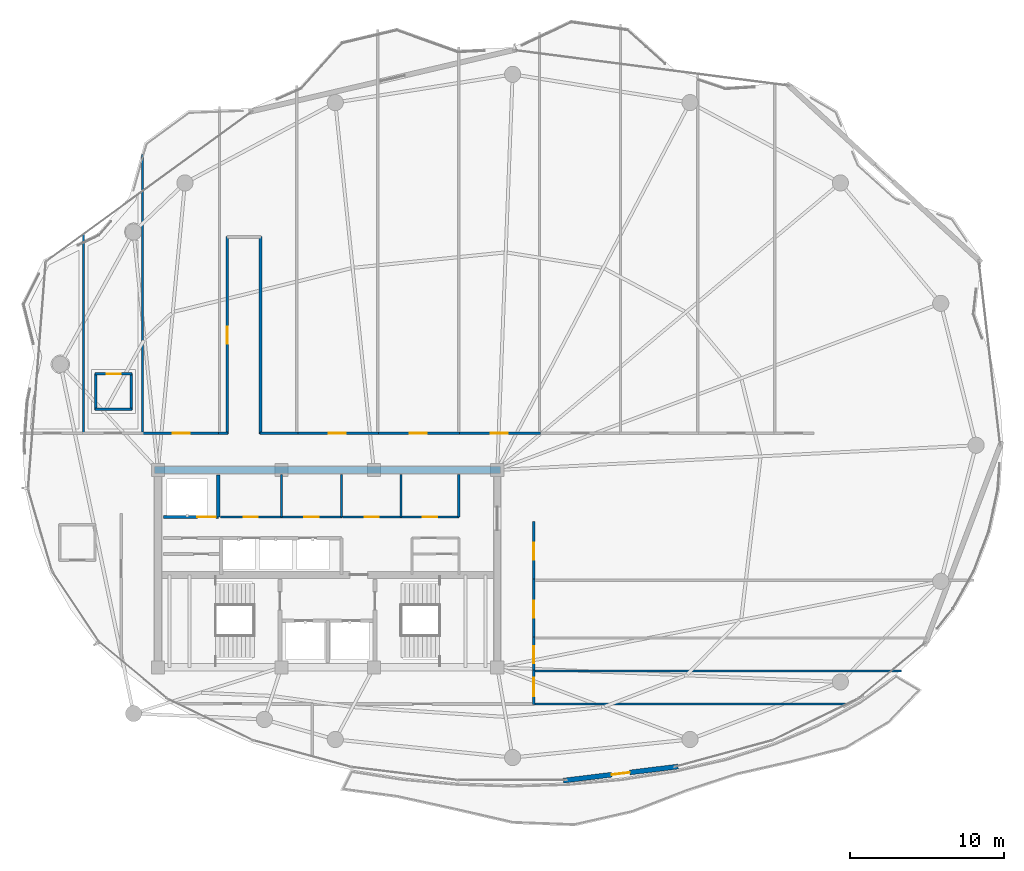
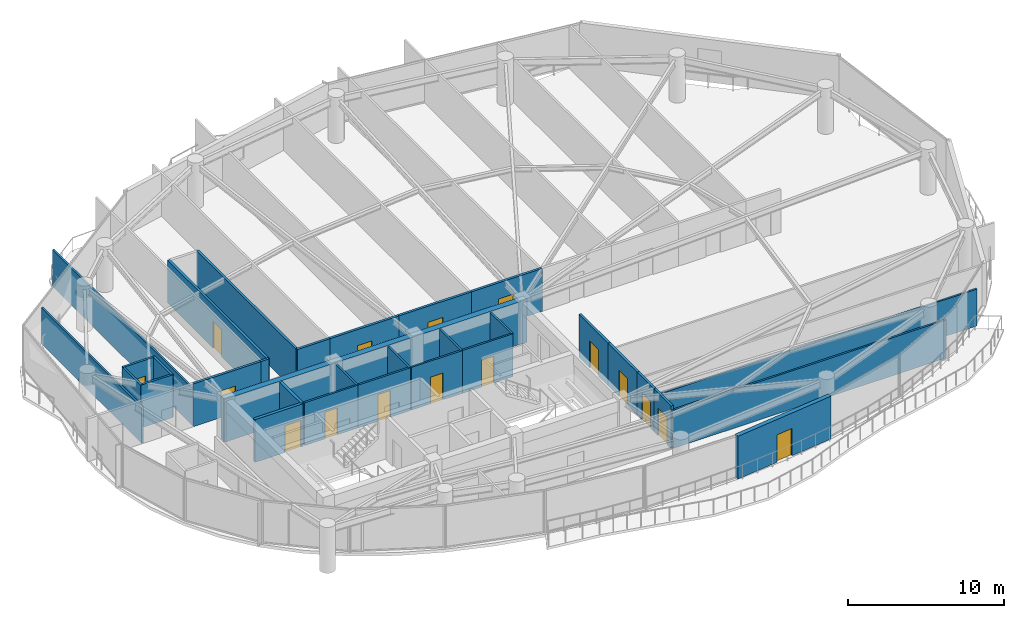
# One storey, part 26 of 31: 32 walls, 16 doors, 16 openings.
"""IFC4 building model written with IfcOpenShell, lengths in metres."""

from ifc_helpers import new_model, si_unit, direction, frame, frame_2d, origin, place, context, subcontext, project, spatial, rectangle, extrude, material, layer, layer_set, type_object, element, fill, save


model = new_model("IFC4")

# Units and contexts
model_context = context("Model", 3, precision=1e-05, world=origin(), true_north=direction((0.0, 1.0)))
body_context = subcontext(model_context, "Body", "Model", "MODEL_VIEW")
ifc_project = project(units=[si_unit("LENGTHUNIT", "METRE"), si_unit("AREAUNIT", "SQUARE_METRE"), si_unit("VOLUMEUNIT", "CUBIC_METRE"), si_unit("PLANEANGLEUNIT", "RADIAN"), si_unit("MASSUNIT", "GRAM", prefix="KILO")], contexts=[model_context])

# Site, building, storey
site_placement = place(None, origin())
site = spatial("IfcSite", under=ifc_project, at=site_placement, CompositionType="ELEMENT")
building_placement = place(site_placement, origin())
building = spatial("IfcBuilding", under=site, at=building_placement, Name="Kazevale Care Tower and Concert Hall", CompositionType="ELEMENT")
storey_placement = place(building_placement, frame((0.0, 0.0, 202.800048828125)))
storey = spatial("IfcBuildingStorey", under=building, at=storey_placement, Name="L53", CompositionType="ELEMENT", Elevation=202.800048828125)

# Wall, opening, door
ifc_material_1 = material(Name="Acoustic Gypsum on Steel Stud", Category="steel")
ifc_layer_1 = layer(ifc_material_1, 0.139892578125)
ifc_layer_set_1 = layer_set([ifc_layer_1], Name="Acoustic Gypsum on Steel Stud")
wall_type_1 = type_object("IfcWallType", Name="Acoustic Care & Suite Partition 140", PredefinedType="PARTITIONING", material=ifc_layer_set_1)
wall_1_placement = place(storey_placement, frame((26.050048828125, 33.35009765625, 0.0), z_axis=(0.0, 0.0, 1.0), x_axis=(1.0, 0.0, 0.0)))
wall_1 = element("IfcWall", 1, at=wall_1_placement, inside=storey, type_object=wall_type_1, Name="wall:L53:c_rpl1_s", PredefinedType="PARTITIONING", context=body_context, shape_type="SweptSolid", body=[
    extrude(rectangle(XDim=3.949951171875, YDim=0.139892578125, at=frame_2d((1.97509765625, 0.0))), origin(), (0.0, 0.0, 1.0), 3.35986328125),
])
opening_1_placement = place(wall_1_placement, frame((1.514892578125, 0.0, 0.0)))
opening_1 = element("IfcOpeningElement", 2, at=opening_1_placement, cuts=wall_1, Name="Opening ID-900", PredefinedType="OPENING", context=body_context, shape_type="SweptSolid", body=[
    extrude(rectangle(XDim=0.919921875, YDim=2.10009765625, at=frame_2d((0.4599609375, 1.050048828125))), frame((0.0, 0.079833984375, 0.0), z_axis=(0.0, -1.0, 0.0), x_axis=(1.0, 0.0, 0.0)), (0.0, 0.0, 1.0), 0.159912109375),
])
ifc_material_2 = material(Name="Oak Timber Fire Leaf", Category="wood")
door_type_1 = type_object("IfcDoorType", Name="Bathroom & Service Door 920x2100", OperationType="NOTDEFINED", PredefinedType="DOOR", material=ifc_material_2)
door_1_placement = place(opening_1_placement, origin())
door_1 = element("IfcDoor", 3, at=door_1_placement, inside=storey, type_object=door_type_1, Name="door:L53:d_rpl1", OperationType="SINGLE_SWING_LEFT", OverallHeight=2.10009765625, OverallWidth=0.919921875, PredefinedType="DOOR", context=body_context, shape_type="SweptSolid", body=[
    extrude(rectangle(XDim=0.919921875, YDim=2.10009765625, at=frame_2d((0.4599609375, 1.050048828125))), frame((0.0, 0.02490234375, 0.0), z_axis=(0.0, -1.0, 0.0), x_axis=(1.0, 0.0, 0.0)), (0.0, 0.0, 1.0), 0.050048828125),
])
fill(opening_1, door_1)

wall_2_placement = place(storey_placement, frame((30.0, 33.35009765625, 0.0), z_axis=(0.0, 0.0, 1.0), x_axis=(1.0, 0.0, 0.0)))
wall_2 = element("IfcWall", 4, at=wall_2_placement, inside=storey, type_object=wall_type_1, Name="wall:L53:c_rpl2_s", PredefinedType="PARTITIONING", context=body_context, shape_type="SweptSolid", body=[
    extrude(rectangle(XDim=3.919921875, YDim=0.139892578125, at=frame_2d((1.9599609375, 0.0))), origin(), (0.0, 0.0, 1.0), 3.35986328125),
])
opening_2_placement = place(wall_2_placement, frame((1.5, 0.0, 0.0)))
opening_2 = element("IfcOpeningElement", 5, at=opening_2_placement, cuts=wall_2, Name="Opening ID-900", PredefinedType="OPENING", context=body_context, shape_type="SweptSolid", body=[
    extrude(rectangle(XDim=0.919921875, YDim=2.10009765625, at=frame_2d((0.4599609375, 1.050048828125))), frame((0.0, 0.079833984375, 0.0), z_axis=(0.0, -1.0, 0.0), x_axis=(1.0, 0.0, 0.0)), (0.0, 0.0, 1.0), 0.159912109375),
])
door_2_placement = place(opening_2_placement, origin())
door_2 = element("IfcDoor", 6, at=door_2_placement, inside=storey, type_object=door_type_1, Name="door:L53:d_rpl2", OperationType="SINGLE_SWING_RIGHT", OverallHeight=2.10009765625, OverallWidth=0.919921875, PredefinedType="DOOR", context=body_context, shape_type="SweptSolid", body=[
    extrude(rectangle(XDim=0.919921875, YDim=2.10009765625, at=frame_2d((0.4599609375, 1.050048828125))), frame((0.0, 0.02490234375, 0.0), z_axis=(0.0, -1.0, 0.0), x_axis=(1.0, 0.0, 0.0)), (0.0, 0.0, 1.0), 0.050048828125),
])
fill(opening_2, door_2)

# Walls
for number, where, z_axis, x_axis, name in (
    (7, (30.0, 33.35009765625, 0.0), (0.0, 0.0, 1.0), (0.0, 1.0, 0.0), "wall:L53:c_rpl_m"),
    (8, (33.89990234375, 33.35009765625, 0.0), (0.0, 0.0, 1.0), (0.0, 1.0, 0.0), "wall:L53:c_rpl_e"),
):
    element("IfcWall", number, at=place(storey_placement, frame(where, z_axis=z_axis, x_axis=x_axis)), inside=storey, type_object=wall_type_1, Name=name, PredefinedType="PARTITIONING", context=body_context, shape_type="SweptSolid", body=[
        extrude(rectangle(XDim=2.75, YDim=0.139892578125, at=frame_2d((1.375, 0.0))), origin(), (0.0, 0.0, 1.0), 3.35986328125),
    ])

# Wall, opening, door
wall_3_placement = place(storey_placement, frame((33.97998046875, 33.35009765625, 0.0), z_axis=(0.0, 0.0, 1.0), x_axis=(1.0, 0.0, 0.0)))
wall_3 = element("IfcWall", 9, at=wall_3_placement, inside=storey, type_object=wall_type_1, Name="wall:L53:c_rpm1_s", PredefinedType="PARTITIONING", context=body_context, shape_type="SweptSolid", body=[
    extrude(rectangle(XDim=3.77001953125, YDim=0.139892578125, at=frame_2d((1.885009765625, 0.0))), origin(), (0.0, 0.0, 1.0), 3.35986328125),
])
opening_3_placement = place(wall_3_placement, frame((1.425048828125, 0.0, 0.0)))
opening_3 = element("IfcOpeningElement", 10, at=opening_3_placement, cuts=wall_3, Name="Opening ID-900", PredefinedType="OPENING", context=body_context, shape_type="SweptSolid", body=[
    extrude(rectangle(XDim=0.919921875, YDim=2.10009765625, at=frame_2d((0.4599609375, 1.050048828125))), frame((0.0, 0.079833984375, 0.0), z_axis=(0.0, -1.0, 0.0), x_axis=(1.0, 0.0, 0.0)), (0.0, 0.0, 1.0), 0.159912109375),
])
door_3_placement = place(opening_3_placement, origin())
door_3 = element("IfcDoor", 11, at=door_3_placement, inside=storey, type_object=door_type_1, Name="door:L53:d_rpm1", OperationType="SINGLE_SWING_LEFT", OverallHeight=2.10009765625, OverallWidth=0.919921875, PredefinedType="DOOR", context=body_context, shape_type="SweptSolid", body=[
    extrude(rectangle(XDim=0.919921875, YDim=2.10009765625, at=frame_2d((0.4599609375, 1.050048828125))), frame((0.0, 0.02490234375, 0.0), z_axis=(0.0, -1.0, 0.0), x_axis=(1.0, 0.0, 0.0)), (0.0, 0.0, 1.0), 0.050048828125),
])
fill(opening_3, door_3)

wall_4_placement = place(storey_placement, frame((37.75, 33.35009765625, 0.0), z_axis=(0.0, 0.0, 1.0), x_axis=(1.0, 0.0, 0.0)))
wall_4 = element("IfcWall", 12, at=wall_4_placement, inside=storey, type_object=wall_type_1, Name="wall:L53:c_rpm2_s", PredefinedType="PARTITIONING", context=body_context, shape_type="SweptSolid", body=[
    extrude(rectangle(XDim=3.77001953125, YDim=0.139892578125, at=frame_2d((1.885009765625, 0.0))), origin(), (0.0, 0.0, 1.0), 3.35986328125),
])
opening_4_placement = place(wall_4_placement, frame((1.425048828125, 0.0, 0.0)))
opening_4 = element("IfcOpeningElement", 13, at=opening_4_placement, cuts=wall_4, Name="Opening ID-900", PredefinedType="OPENING", context=body_context, shape_type="SweptSolid", body=[
    extrude(rectangle(XDim=0.919921875, YDim=2.10009765625, at=frame_2d((0.4599609375, 1.050048828125))), frame((0.0, 0.079833984375, 0.0), z_axis=(0.0, -1.0, 0.0), x_axis=(1.0, 0.0, 0.0)), (0.0, 0.0, 1.0), 0.159912109375),
])
door_4_placement = place(opening_4_placement, origin())
door_4 = element("IfcDoor", 14, at=door_4_placement, inside=storey, type_object=door_type_1, Name="door:L53:d_rpm2", OperationType="SINGLE_SWING_RIGHT", OverallHeight=2.10009765625, OverallWidth=0.919921875, PredefinedType="DOOR", context=body_context, shape_type="SweptSolid", body=[
    extrude(rectangle(XDim=0.919921875, YDim=2.10009765625, at=frame_2d((0.4599609375, 1.050048828125))), frame((0.0, 0.02490234375, 0.0), z_axis=(0.0, -1.0, 0.0), x_axis=(1.0, 0.0, 0.0)), (0.0, 0.0, 1.0), 0.050048828125),
])
fill(opening_4, door_4)

# Walls
for number, where, z_axis, x_axis, name in (
    (15, (37.75, 33.35009765625, 0.0), (0.0, 0.0, 1.0), (0.0, 1.0, 0.0), "wall:L53:c_rpm_m"),
    (16, (41.5, 33.35009765625, 0.0), (0.0, 0.0, 1.0), (0.0, 1.0, 0.0), "wall:L53:c_rpm_e"),
):
    element("IfcWall", number, at=place(storey_placement, frame(where, z_axis=z_axis, x_axis=x_axis)), inside=storey, type_object=wall_type_1, Name=name, PredefinedType="PARTITIONING", context=body_context, shape_type="SweptSolid", body=[
        extrude(rectangle(XDim=2.75, YDim=0.139892578125, at=frame_2d((1.375, 0.0))), origin(), (0.0, 0.0, 1.0), 3.35986328125),
    ])
wall_5_placement = place(storey_placement, frame((17.169921875, 51.67578125, 0.0), z_axis=(0.0, 0.0, 1.0), x_axis=(0.0, -1.0, 0.0)))
element("IfcWall", 17, at=wall_5_placement, inside=storey, type_object=wall_type_1, Name="wall:L53:auto_023", PredefinedType="PARTITIONING", context=body_context, shape_type="SweptSolid", body=[
    extrude(rectangle(XDim=12.9306640625, YDim=0.139892578125, at=frame_2d((6.46533203125, 0.0))), origin(), (0.0, 0.0, 1.0), 2.81689453125),
])
wall_6_placement = place(storey_placement, frame((21.0, 56.860107421875, 0.0), z_axis=(0.0, 0.0, 1.0), x_axis=(0.0, -1.0, 0.0)))
element("IfcWall", 18, at=wall_6_placement, inside=storey, type_object=wall_type_1, Name="wall:L53:auto_024", PredefinedType="PARTITIONING", context=body_context, shape_type="SweptSolid", body=[
    extrude(rectangle(XDim=18.114990234375, YDim=0.139892578125, at=frame_2d((9.0576171875, 0.0))), origin(), (0.0, 0.0, 1.0), 2.889892578125),
])
wall_7_placement = place(storey_placement, frame((46.344970703125, 23.360107421875, 0.0), z_axis=(0.0, 0.0, 1.0), x_axis=(1.0, 0.0, 0.0)))
element("IfcWall", 19, at=wall_7_placement, inside=storey, type_object=wall_type_1, Name="wall:L53:auto_033", PredefinedType="PARTITIONING", context=body_context, shape_type="SweptSolid", body=[
    extrude(rectangle(XDim=23.8701171875, YDim=0.139892578125, at=frame_2d((11.93505859375, 0.0))), origin(), (0.0, 0.0, 1.0), 2.889892578125),
])
wall_8_placement = place(storey_placement, frame((66.683837890625, 21.22509765625, 0.0), z_axis=(0.0, 0.0, 1.0), x_axis=(-1.0, 0.0, 0.0)))
element("IfcWall", 20, at=wall_8_placement, inside=storey, type_object=wall_type_1, Name="wall:L53:auto_034", PredefinedType="PARTITIONING", context=body_context, shape_type="SweptSolid", body=[
    extrude(rectangle(XDim=20.3388671875, YDim=0.139892578125, at=frame_2d((10.16943359375, 0.0))), origin(), (0.0, 0.0, 1.0), 2.995849609375),
])
ifc_material_3 = material(Name="Concrete C50", Category="concrete")
ifc_layer_2 = layer(ifc_material_3, 0.449951171875)
ifc_layer_set_2 = layer_set([ifc_layer_2], Name="Concrete C50")
wall_type_2 = type_object("IfcWallType", Name="Core Shear Wall 450 C50", PredefinedType="SHEAR", material=ifc_layer_set_2)
wall_9_placement = place(storey_placement, frame((21.77490234375, 36.39990234375, 0.0), z_axis=(0.0, 0.0, 1.0), x_axis=(1.0, 0.0, 0.0)))
element("IfcWall", 21, at=wall_9_placement, inside=storey, type_object=wall_type_2, Name="wall:L53:core:N", PredefinedType="SHEAR", context=body_context, shape_type="SweptSolid", body=[
    extrude(rectangle(XDim=22.4501953125, YDim=0.449951171875, at=frame_2d((11.22509765625, 0.0))), origin(), (0.0, 0.0, 1.0), 3.35986328125),
])
ifc_material_4 = material(Name="Concrete C40", Category="concrete")
ifc_layer_3 = layer(ifc_material_4, 0.219970703125)
ifc_layer_set_3 = layer_set([ifc_layer_3], Name="Concrete C40")
wall_type_3 = type_object("IfcWallType", Name="Elevator Hoistway Shaft Wall 220", PredefinedType="SOLIDWALL", material=ifc_layer_set_3)
wall_10_placement = place(storey_placement, frame((25.919921875, 33.35009765625, 0.0), z_axis=(0.0, 0.0, 1.0), x_axis=(0.0, 1.0, 0.0)))
element("IfcWall", 22, at=wall_10_placement, inside=storey, type_object=wall_type_3, Name="wall:L53:c_svl_e", PredefinedType="SOLIDWALL", context=body_context, shape_type="SweptSolid", body=[
    extrude(rectangle(XDim=2.72998046875, YDim=0.219970703125, at=frame_2d((1.364990234375, 0.0))), origin(), (0.0, 0.0, 1.0), 3.35986328125),
])

# Wall, opening, door
wall_11_placement = place(storey_placement, frame((22.35009765625, 33.35009765625, 0.0), z_axis=(0.0, 0.0, 1.0), x_axis=(1.0, 0.0, 0.0)))
wall_11 = element("IfcWall", 23, at=wall_11_placement, inside=storey, type_object=wall_type_3, Name="wall:L53:c_svl_s", PredefinedType="SOLIDWALL", context=body_context, shape_type="SweptSolid", body=[
    extrude(rectangle(XDim=3.56982421875, YDim=0.219970703125, at=frame_2d((1.784912109375, 0.0))), origin(), (0.0, 0.0, 1.0), 3.35986328125),
])
opening_5_placement = place(wall_11_placement, frame((2.212890625, 0.0, 0.0)))
opening_5 = element("IfcOpeningElement", 24, at=opening_5_placement, cuts=wall_11, Name="Opening LD-SV", PredefinedType="OPENING", context=body_context, shape_type="SweptSolid", body=[
    extrude(rectangle(XDim=1.199951171875, YDim=2.10009765625, at=frame_2d((0.60009765625, 1.050048828125))), frame((0.0, 0.119873046875, 0.0), z_axis=(0.0, -1.0, 0.0), x_axis=(1.0, 0.0, 0.0)), (0.0, 0.0, 1.0), 0.239990234375),
])
ifc_material_5 = material(Name="Stainless Steel 316", Category="steel")
door_type_2 = type_object("IfcDoorType", Name="Service Lift Sliding Landing Door 1200x2100", OperationType="NOTDEFINED", PredefinedType="DOOR", material=ifc_material_5)
door_5_placement = place(opening_5_placement, origin())
door_5 = element("IfcDoor", 25, at=door_5_placement, inside=storey, type_object=door_type_2, Name="door:L53:ld_svl1", OperationType="SLIDING_TO_LEFT", OverallHeight=2.10009765625, OverallWidth=1.199951171875, PredefinedType="DOOR", context=body_context, shape_type="SweptSolid", body=[
    extrude(rectangle(XDim=1.199951171875, YDim=2.10009765625, at=frame_2d((0.60009765625, 1.050048828125))), frame((0.0, 0.02490234375, 0.0), z_axis=(0.0, -1.0, 0.0), x_axis=(1.0, 0.0, 0.0)), (0.0, 0.0, 1.0), 0.050048828125),
])
fill(opening_5, door_5)

ifc_material_6 = material(Name="Concrete C40 and Acoustic Gypsum", Category="concrete")
ifc_layer_4 = layer(ifc_material_6, 0.179931640625)
ifc_layer_set_4 = layer_set([ifc_layer_4], Name="Concrete C40 and Acoustic Gypsum")
wall_type_4 = type_object("IfcWallType", Name="Fire-Rated Corridor & Party Wall 180", PredefinedType="PARTITIONING", material=ifc_layer_set_4)
wall_12_placement = place(storey_placement, frame((20.93505859375, 38.77490234375, 0.0), z_axis=(0.0, 0.0, 1.0), x_axis=(1.0, 0.0, 0.0)))
wall_12 = element("IfcWall", 26, at=wall_12_placement, inside=storey, type_object=wall_type_4, Name="wall:L53:auto_003", PredefinedType="PARTITIONING", context=body_context, shape_type="SweptSolid", body=[
    extrude(rectangle(XDim=5.1298828125, YDim=0.179931640625, at=frame_2d((2.56494140625, 0.0))), origin(), (0.0, 0.0, 1.0), 3.35986328125),
])
opening_6_placement = place(wall_12_placement, frame((2.014892578125, 0.0, 0.0)))
opening_6 = element("IfcOpeningElement", 27, at=opening_6_placement, cuts=wall_12, Name="Opening ID-1100", PredefinedType="OPENING", context=body_context, shape_type="SweptSolid", body=[
    extrude(rectangle(XDim=1.10009765625, YDim=2.10009765625, at=frame_2d((0.550048828125, 1.050048828125))), frame((0.0, 0.099853515625, 0.0), z_axis=(0.0, -1.0, 0.0), x_axis=(1.0, 0.0, 0.0)), (0.0, 0.0, 1.0), 0.199951171875),
])
door_type_3 = type_object("IfcDoorType", Name="Care Bedroom Accessible Door 1100x2100", OperationType="NOTDEFINED", PredefinedType="DOOR", material=ifc_material_2)
door_6_placement = place(opening_6_placement, origin())
door_6 = element("IfcDoor", 28, at=door_6_placement, inside=storey, type_object=door_type_3, Name="door:L53:ad_003", OperationType="SINGLE_SWING_LEFT", OverallHeight=2.10009765625, OverallWidth=1.10009765625, PredefinedType="DOOR", context=body_context, shape_type="SweptSolid", body=[
    extrude(rectangle(XDim=1.10009765625, YDim=2.10009765625, at=frame_2d((0.550048828125, 1.050048828125))), frame((0.0, 0.02490234375, 0.0), z_axis=(0.0, -1.0, 0.0), x_axis=(1.0, 0.0, 0.0)), (0.0, 0.0, 1.0), 0.050048828125),
])
fill(opening_6, door_6)

wall_13_placement = place(storey_placement, frame((26.5, 38.7451171875, 0.0), z_axis=(0.0, 0.0, 1.0), x_axis=(0.0, 1.0, 0.0)))
wall_13 = element("IfcWall", 29, at=wall_13_placement, inside=storey, type_object=wall_type_4, Name="wall:L53:auto_004", PredefinedType="PARTITIONING", context=body_context, shape_type="SweptSolid", body=[
    extrude(rectangle(XDim=12.784912109375, YDim=0.179931640625, at=frame_2d((6.392578125, 0.0))), origin(), (0.0, 0.0, 1.0), 3.35986328125),
])
opening_7_placement = place(wall_13_placement, frame((5.843017578125, 0.0, 0.0)))
opening_7 = element("IfcOpeningElement", 30, at=opening_7_placement, cuts=wall_13, Name="Opening ID-1100", PredefinedType="OPENING", context=body_context, shape_type="SweptSolid", body=[
    extrude(rectangle(XDim=1.10009765625, YDim=2.10009765625, at=frame_2d((0.550048828125, 1.050048828125))), frame((0.0, 0.099853515625, 0.0), z_axis=(0.0, -1.0, 0.0), x_axis=(1.0, 0.0, 0.0)), (0.0, 0.0, 1.0), 0.199951171875),
])
door_7_placement = place(opening_7_placement, origin())
door_7 = element("IfcDoor", 31, at=door_7_placement, inside=storey, type_object=door_type_3, Name="door:L53:ad_004", OperationType="SINGLE_SWING_LEFT", OverallHeight=2.10009765625, OverallWidth=1.10009765625, PredefinedType="DOOR", context=body_context, shape_type="SweptSolid", body=[
    extrude(rectangle(XDim=1.10009765625, YDim=2.10009765625, at=frame_2d((0.550048828125, 1.050048828125))), frame((0.0, 0.02490234375, 0.0), z_axis=(0.0, -1.0, 0.0), x_axis=(1.0, 0.0, 0.0)), (0.0, 0.0, 1.0), 0.050048828125),
])
fill(opening_7, door_7)

# Walls
wall_14_placement = place(storey_placement, frame((28.64990234375, 51.530029296875, 0.0), z_axis=(0.0, 0.0, 1.0), x_axis=(0.0, -1.0, 0.0)))
element("IfcWall", 32, at=wall_14_placement, inside=storey, type_object=wall_type_4, Name="wall:L53:auto_005", PredefinedType="PARTITIONING", context=body_context, shape_type="SweptSolid", body=[
    extrude(rectangle(XDim=12.784912109375, YDim=0.179931640625, at=frame_2d((6.392578125, 0.0))), origin(), (0.0, 0.0, 1.0), 3.35986328125),
])
wall_15_placement = place(storey_placement, frame((28.6201171875, 38.77490234375, 0.0), z_axis=(0.0, 0.0, 1.0), x_axis=(1.0, 0.0, 0.0)))
element("IfcWall", 33, at=wall_15_placement, inside=storey, type_object=wall_type_4, Name="wall:L53:auto_006", PredefinedType="PARTITIONING", context=body_context, shape_type="SweptSolid", body=[
    extrude(rectangle(XDim=2.44482421875, YDim=0.179931640625, at=frame_2d((1.222412109375, 0.0))), origin(), (0.0, 0.0, 1.0), 3.35986328125),
])
wall_16_placement = place(storey_placement, frame((25.93505859375, 38.77490234375, 0.0), z_axis=(0.0, 0.0, 1.0), x_axis=(1.0, 0.0, 0.0)))
element("IfcWall", 34, at=wall_16_placement, inside=storey, type_object=wall_type_4, Name="wall:L53:auto_008", PredefinedType="PARTITIONING", context=body_context, shape_type="SweptSolid", body=[
    extrude(rectangle(XDim=0.594970703125, YDim=0.179931640625, at=frame_2d((0.29736328125, 0.0))), origin(), (0.0, 0.0, 1.0), 3.35986328125),
])

# Wall, opening, door
wall_17_placement = place(storey_placement, frame((30.93505859375, 38.77490234375, 0.0), z_axis=(0.0, 0.0, 1.0), x_axis=(1.0, 0.0, 0.0)))
wall_17 = element("IfcWall", 35, at=wall_17_placement, inside=storey, type_object=wall_type_4, Name="wall:L53:auto_009", PredefinedType="PARTITIONING", context=body_context, shape_type="SweptSolid", body=[
    extrude(rectangle(XDim=5.3798828125, YDim=0.179931640625, at=frame_2d((2.68994140625, 0.0))), origin(), (0.0, 0.0, 1.0), 3.35986328125),
])
opening_8_placement = place(wall_17_placement, frame((2.139892578125, 0.0, 0.0)))
opening_8 = element("IfcOpeningElement", 36, at=opening_8_placement, cuts=wall_17, Name="Opening ID-1100", PredefinedType="OPENING", context=body_context, shape_type="SweptSolid", body=[
    extrude(rectangle(XDim=1.10009765625, YDim=2.10009765625, at=frame_2d((0.550048828125, 1.050048828125))), frame((0.0, 0.099853515625, 0.0), z_axis=(0.0, -1.0, 0.0), x_axis=(1.0, 0.0, 0.0)), (0.0, 0.0, 1.0), 0.199951171875),
])
door_8_placement = place(opening_8_placement, origin())
door_8 = element("IfcDoor", 37, at=door_8_placement, inside=storey, type_object=door_type_3, Name="door:L53:ad_009", OperationType="SINGLE_SWING_LEFT", OverallHeight=2.10009765625, OverallWidth=1.10009765625, PredefinedType="DOOR", context=body_context, shape_type="SweptSolid", body=[
    extrude(rectangle(XDim=1.10009765625, YDim=2.10009765625, at=frame_2d((0.550048828125, 1.050048828125))), frame((0.0, 0.02490234375, 0.0), z_axis=(0.0, -1.0, 0.0), x_axis=(1.0, 0.0, 0.0)), (0.0, 0.0, 1.0), 0.050048828125),
])
fill(opening_8, door_8)

wall_18_placement = place(storey_placement, frame((36.18505859375, 38.77490234375, 0.0), z_axis=(0.0, 0.0, 1.0), x_axis=(1.0, 0.0, 0.0)))
wall_18 = element("IfcWall", 38, at=wall_18_placement, inside=storey, type_object=wall_type_4, Name="wall:L53:auto_010", PredefinedType="PARTITIONING", context=body_context, shape_type="SweptSolid", body=[
    extrude(rectangle(XDim=5.3798828125, YDim=0.179931640625, at=frame_2d((2.68994140625, 0.0))), origin(), (0.0, 0.0, 1.0), 3.35986328125),
])
opening_9_placement = place(wall_18_placement, frame((2.139892578125, 0.0, 0.0)))
opening_9 = element("IfcOpeningElement", 39, at=opening_9_placement, cuts=wall_18, Name="Opening ID-1100", PredefinedType="OPENING", context=body_context, shape_type="SweptSolid", body=[
    extrude(rectangle(XDim=1.10009765625, YDim=2.10009765625, at=frame_2d((0.550048828125, 1.050048828125))), frame((0.0, 0.099853515625, 0.0), z_axis=(0.0, -1.0, 0.0), x_axis=(1.0, 0.0, 0.0)), (0.0, 0.0, 1.0), 0.199951171875),
])
door_9_placement = place(opening_9_placement, origin())
door_9 = element("IfcDoor", 40, at=door_9_placement, inside=storey, type_object=door_type_3, Name="door:L53:ad_010", OperationType="SINGLE_SWING_LEFT", OverallHeight=2.10009765625, OverallWidth=1.10009765625, PredefinedType="DOOR", context=body_context, shape_type="SweptSolid", body=[
    extrude(rectangle(XDim=1.10009765625, YDim=2.10009765625, at=frame_2d((0.550048828125, 1.050048828125))), frame((0.0, 0.02490234375, 0.0), z_axis=(0.0, -1.0, 0.0), x_axis=(1.0, 0.0, 0.0)), (0.0, 0.0, 1.0), 0.050048828125),
])
fill(opening_9, door_9)

wall_19_placement = place(storey_placement, frame((41.43505859375, 38.77490234375, 0.0), z_axis=(0.0, 0.0, 1.0), x_axis=(1.0, 0.0, 0.0)))
wall_19 = element("IfcWall", 41, at=wall_19_placement, inside=storey, type_object=wall_type_4, Name="wall:L53:auto_011", PredefinedType="PARTITIONING", context=body_context, shape_type="SweptSolid", body=[
    extrude(rectangle(XDim=5.3798828125, YDim=0.179931640625, at=frame_2d((2.68994140625, 0.0))), origin(), (0.0, 0.0, 1.0), 3.35986328125),
])
opening_10_placement = place(wall_19_placement, frame((2.139892578125, 0.0, 0.0)))
opening_10 = element("IfcOpeningElement", 42, at=opening_10_placement, cuts=wall_19, Name="Opening ID-1100", PredefinedType="OPENING", context=body_context, shape_type="SweptSolid", body=[
    extrude(rectangle(XDim=1.10009765625, YDim=2.10009765625, at=frame_2d((0.550048828125, 1.050048828125))), frame((0.0, 0.099853515625, 0.0), z_axis=(0.0, -1.0, 0.0), x_axis=(1.0, 0.0, 0.0)), (0.0, 0.0, 1.0), 0.199951171875),
])
door_10_placement = place(opening_10_placement, origin())
door_10 = element("IfcDoor", 43, at=door_10_placement, inside=storey, type_object=door_type_3, Name="door:L53:ad_011", OperationType="SINGLE_SWING_LEFT", OverallHeight=2.10009765625, OverallWidth=1.10009765625, PredefinedType="DOOR", context=body_context, shape_type="SweptSolid", body=[
    extrude(rectangle(XDim=1.10009765625, YDim=2.10009765625, at=frame_2d((0.550048828125, 1.050048828125))), frame((0.0, 0.02490234375, 0.0), z_axis=(0.0, -1.0, 0.0), x_axis=(1.0, 0.0, 0.0)), (0.0, 0.0, 1.0), 0.050048828125),
])
fill(opening_10, door_10)

wall_20_placement = place(storey_placement, frame((46.375, 23.425048828125, 0.0), z_axis=(0.0, 0.0, 1.0), x_axis=(0.0, -1.0, 0.0)))
wall_20 = element("IfcWall", 44, at=wall_20_placement, inside=storey, type_object=wall_type_4, Name="wall:L53:auto_016", PredefinedType="PARTITIONING", context=body_context, shape_type="SweptSolid", body=[
    extrude(rectangle(XDim=2.22998046875, YDim=0.179931640625, at=frame_2d((1.114990234375, 0.0))), origin(), (0.0, 0.0, 1.0), 3.35986328125),
])
opening_11_placement = place(wall_20_placement, frame((0.514892578125, 0.0, 0.0)))
opening_11 = element("IfcOpeningElement", 45, at=opening_11_placement, cuts=wall_20, Name="Opening ID-1200", PredefinedType="OPENING", context=body_context, shape_type="SweptSolid", body=[
    extrude(rectangle(XDim=1.199951171875, YDim=2.14990234375, at=frame_2d((0.60009765625, 1.074951171875))), frame((0.0, 0.099853515625, 0.0), z_axis=(0.0, -1.0, 0.0), x_axis=(1.0, 0.0, 0.0)), (0.0, 0.0, 1.0), 0.199951171875),
])
door_type_4 = type_object("IfcDoorType", Name="Clinical & Therapy Door 1200x2150", OperationType="NOTDEFINED", PredefinedType="DOOR", material=ifc_material_2)
door_11_placement = place(opening_11_placement, origin())
door_11 = element("IfcDoor", 46, at=door_11_placement, inside=storey, type_object=door_type_4, Name="door:L53:ad_016", OperationType="SINGLE_SWING_LEFT", OverallHeight=2.14990234375, OverallWidth=1.199951171875, PredefinedType="DOOR", context=body_context, shape_type="SweptSolid", body=[
    extrude(rectangle(XDim=1.199951171875, YDim=2.14990234375, at=frame_2d((0.60009765625, 1.074951171875))), frame((0.0, 0.02490234375, 0.0), z_axis=(0.0, -1.0, 0.0), x_axis=(1.0, 0.0, 0.0)), (0.0, 0.0, 1.0), 0.050048828125),
])
fill(opening_11, door_11)

wall_21_placement = place(storey_placement, frame((46.375, 25.56494140625, 0.0), z_axis=(0.0, 0.0, 1.0), x_axis=(0.0, -1.0, 0.0)))
wall_21 = element("IfcWall", 47, at=wall_21_placement, inside=storey, type_object=wall_type_4, Name="wall:L53:auto_017", PredefinedType="PARTITIONING", context=body_context, shape_type="SweptSolid", body=[
    extrude(rectangle(XDim=2.27001953125, YDim=0.179931640625, at=frame_2d((1.135009765625, 0.0))), origin(), (0.0, 0.0, 1.0), 3.35986328125),
])
opening_12_placement = place(wall_21_placement, frame((0.5849609375, 0.0, 0.0)))
opening_12 = element("IfcOpeningElement", 48, at=opening_12_placement, cuts=wall_21, Name="Opening ID-1100", PredefinedType="OPENING", context=body_context, shape_type="SweptSolid", body=[
    extrude(rectangle(XDim=1.10009765625, YDim=2.10009765625, at=frame_2d((0.550048828125, 1.050048828125))), frame((0.0, 0.099853515625, 0.0), z_axis=(0.0, -1.0, 0.0), x_axis=(1.0, 0.0, 0.0)), (0.0, 0.0, 1.0), 0.199951171875),
])
door_12_placement = place(opening_12_placement, origin())
door_12 = element("IfcDoor", 49, at=door_12_placement, inside=storey, type_object=door_type_3, Name="door:L53:ad_017", OperationType="SINGLE_SWING_LEFT", OverallHeight=2.10009765625, OverallWidth=1.10009765625, PredefinedType="DOOR", context=body_context, shape_type="SweptSolid", body=[
    extrude(rectangle(XDim=1.10009765625, YDim=2.10009765625, at=frame_2d((0.550048828125, 1.050048828125))), frame((0.0, 0.02490234375, 0.0), z_axis=(0.0, -1.0, 0.0), x_axis=(1.0, 0.0, 0.0)), (0.0, 0.0, 1.0), 0.050048828125),
])
fill(opening_12, door_12)

wall_22_placement = place(storey_placement, frame((46.375, 29.31494140625, 0.0), z_axis=(0.0, 0.0, 1.0), x_axis=(0.0, -1.0, 0.0)))
wall_22 = element("IfcWall", 50, at=wall_22_placement, inside=storey, type_object=wall_type_4, Name="wall:L53:auto_018", PredefinedType="PARTITIONING", context=body_context, shape_type="SweptSolid", body=[
    extrude(rectangle(XDim=3.8798828125, YDim=0.179931640625, at=frame_2d((1.93994140625, 0.0))), origin(), (0.0, 0.0, 1.0), 3.35986328125),
])
opening_13_placement = place(wall_22_placement, frame((1.389892578125, 0.0, 0.0)))
opening_13 = element("IfcOpeningElement", 51, at=opening_13_placement, cuts=wall_22, Name="Opening ID-1100", PredefinedType="OPENING", context=body_context, shape_type="SweptSolid", body=[
    extrude(rectangle(XDim=1.10009765625, YDim=2.10009765625, at=frame_2d((0.550048828125, 1.050048828125))), frame((0.0, 0.099853515625, 0.0), z_axis=(0.0, -1.0, 0.0), x_axis=(1.0, 0.0, 0.0)), (0.0, 0.0, 1.0), 0.199951171875),
])
door_13_placement = place(opening_13_placement, origin())
door_13 = element("IfcDoor", 52, at=door_13_placement, inside=storey, type_object=door_type_3, Name="door:L53:ad_018", OperationType="SINGLE_SWING_LEFT", OverallHeight=2.10009765625, OverallWidth=1.10009765625, PredefinedType="DOOR", context=body_context, shape_type="SweptSolid", body=[
    extrude(rectangle(XDim=1.10009765625, YDim=2.10009765625, at=frame_2d((0.550048828125, 1.050048828125))), frame((0.0, 0.02490234375, 0.0), z_axis=(0.0, -1.0, 0.0), x_axis=(1.0, 0.0, 0.0)), (0.0, 0.0, 1.0), 0.050048828125),
])
fill(opening_13, door_13)

wall_23_placement = place(storey_placement, frame((46.375, 33.06494140625, 0.0), z_axis=(0.0, 0.0, 1.0), x_axis=(0.0, -1.0, 0.0)))
wall_23 = element("IfcWall", 53, at=wall_23_placement, inside=storey, type_object=wall_type_4, Name="wall:L53:auto_019", PredefinedType="PARTITIONING", context=body_context, shape_type="SweptSolid", body=[
    extrude(rectangle(XDim=3.8798828125, YDim=0.179931640625, at=frame_2d((1.93994140625, 0.0))), origin(), (0.0, 0.0, 1.0), 3.35986328125),
])
opening_14_placement = place(wall_23_placement, frame((1.389892578125, 0.0, 0.0)))
opening_14 = element("IfcOpeningElement", 54, at=opening_14_placement, cuts=wall_23, Name="Opening ID-1100", PredefinedType="OPENING", context=body_context, shape_type="SweptSolid", body=[
    extrude(rectangle(XDim=1.10009765625, YDim=2.10009765625, at=frame_2d((0.550048828125, 1.050048828125))), frame((0.0, 0.099853515625, 0.0), z_axis=(0.0, -1.0, 0.0), x_axis=(1.0, 0.0, 0.0)), (0.0, 0.0, 1.0), 0.199951171875),
])
door_14_placement = place(opening_14_placement, origin())
door_14 = element("IfcDoor", 55, at=door_14_placement, inside=storey, type_object=door_type_3, Name="door:L53:ad_019", OperationType="SINGLE_SWING_LEFT", OverallHeight=2.10009765625, OverallWidth=1.10009765625, PredefinedType="DOOR", context=body_context, shape_type="SweptSolid", body=[
    extrude(rectangle(XDim=1.10009765625, YDim=2.10009765625, at=frame_2d((0.550048828125, 1.050048828125))), frame((0.0, 0.02490234375, 0.0), z_axis=(0.0, -1.0, 0.0), x_axis=(1.0, 0.0, 0.0)), (0.0, 0.0, 1.0), 0.050048828125),
])
fill(opening_14, door_14)

# Wall
ifc_layer_5 = layer(ifc_material_1, 0.159912109375)
ifc_layer_set_5 = layer_set([ifc_layer_5], Name="Acoustic Gypsum on Steel Stud")
wall_type_5 = type_object("IfcWallType", Name="Moisture-Resistant Bathroom Plumbing Wall 160", PredefinedType="PLUMBINGWALL", material=ifc_layer_set_5)
wall_24_placement = place(storey_placement, frame((17.929931640625, 40.324951171875, 0.0), z_axis=(0.0, 0.0, 1.0), x_axis=(1.0, 0.0, 0.0)))
element("IfcWall", 56, at=wall_24_placement, inside=storey, type_object=wall_type_5, Name="wall:L53:nb1b_ens_ws", PredefinedType="PLUMBINGWALL", context=body_context, shape_type="SweptSolid", body=[
    extrude(rectangle(XDim=2.380126953125, YDim=0.159912109375, at=frame_2d((1.18994140625, 0.0))), origin(), (0.0, 0.0, 1.0), 3.35986328125),
])

# Wall, opening, door
wall_25_placement = place(storey_placement, frame((17.929931640625, 42.625, 0.0), z_axis=(0.0, 0.0, 1.0), x_axis=(1.0, 0.0, 0.0)))
wall_25 = element("IfcWall", 57, at=wall_25_placement, inside=storey, type_object=wall_type_5, Name="wall:L53:nb1b_ens_wn", PredefinedType="PLUMBINGWALL", context=body_context, shape_type="SweptSolid", body=[
    extrude(rectangle(XDim=2.380126953125, YDim=0.159912109375, at=frame_2d((1.18994140625, 0.0))), origin(), (0.0, 0.0, 1.0), 3.35986328125),
])
opening_15_placement = place(wall_25_placement, frame((0.739990234375, 0.0, 0.0)))
opening_15 = element("IfcOpeningElement", 58, at=opening_15_placement, cuts=wall_25, Name="Opening ID-900", PredefinedType="OPENING", context=body_context, shape_type="SweptSolid", body=[
    extrude(rectangle(XDim=0.919921875, YDim=2.10009765625, at=frame_2d((0.4599609375, 1.050048828125))), frame((0.0, 0.08984375, 0.0), z_axis=(0.0, -1.0, 0.0), x_axis=(1.0, 0.0, 0.0)), (0.0, 0.0, 1.0), 0.179931640625),
])
door_15_placement = place(opening_15_placement, origin())
door_15 = element("IfcDoor", 59, at=door_15_placement, inside=storey, type_object=door_type_1, Name="door:L53:nb1b_ens_d", OperationType="SINGLE_SWING_RIGHT", OverallHeight=2.10009765625, OverallWidth=0.919921875, PredefinedType="DOOR", context=body_context, shape_type="SweptSolid", body=[
    extrude(rectangle(XDim=0.919921875, YDim=2.10009765625, at=frame_2d((0.4599609375, 1.050048828125))), frame((0.0, 0.02490234375, 0.0), z_axis=(0.0, -1.0, 0.0), x_axis=(1.0, 0.0, 0.0)), (0.0, 0.0, 1.0), 0.050048828125),
])
fill(opening_15, door_15)

# Walls
for number, where, z_axis, x_axis, name in (
    (60, (17.969970703125, 40.284912109375, 0.0), (0.0, 0.0, 1.0), (0.0, 1.0, 0.0), "wall:L53:nb1b_ens_ww"),
    (61, (20.27001953125, 40.284912109375, 0.0), (0.0, 0.0, 1.0), (0.0, 1.0, 0.0), "wall:L53:nb1b_ens_we"),
):
    element("IfcWall", number, at=place(storey_placement, frame(where, z_axis=z_axis, x_axis=x_axis)), inside=storey, type_object=wall_type_5, Name=name, PredefinedType="PLUMBINGWALL", context=body_context, shape_type="SweptSolid", body=[
        extrude(rectangle(XDim=2.380126953125, YDim=0.159912109375, at=frame_2d((1.18994140625, 0.0))), origin(), (0.0, 0.0, 1.0), 3.35986328125),
    ])

# Wall, opening, door
ifc_material_7 = material(Name="Concrete C40 with Honed Limestone Cladding", Category="masonry")
ifc_layer_6 = layer(ifc_material_7, 0.320068359375)
ifc_layer_set_6 = layer_set([ifc_layer_6], Name="Concrete C40 with Honed Limestone Cladding")
wall_type_6 = type_object("IfcWallType", Name="Tower Honed Limestone Spandrel Wall 320", PredefinedType="STANDARD", material=ifc_layer_set_6)
wall_26_placement = place(storey_placement, frame((55.72705078125, 17.1650390625, 0.0), z_axis=(0.0, 0.0, 1.0), x_axis=(-0.992559081031, -0.121763995755, 0.0)))
wall_26 = element("IfcWall", 62, at=wall_26_placement, inside=storey, type_object=wall_type_6, Name="wall:L53:bal_host", PredefinedType="STANDARD", context=body_context, shape_type="SweptSolid", body=[
    extrude(rectangle(XDim=7.49072265625, YDim=0.320068359375, at=frame_2d((3.745361328125, 0.0))), origin(), (0.0, 0.0, 1.0), 3.35986328125),
])
opening_16_placement = place(wall_26_placement, frame((3.14501953125, 0.0, 0.0)))
opening_16 = element("IfcOpeningElement", 63, at=opening_16_placement, cuts=wall_26, Name="Opening BD-1200", PredefinedType="OPENING", context=body_context, shape_type="SweptSolid", body=[
    extrude(rectangle(XDim=1.199951171875, YDim=2.14990234375, at=frame_2d((0.60009765625, 1.074951171875))), frame((0.0, 0.169921875, 0.0), z_axis=(0.0, -1.0, 0.0), x_axis=(1.0, 0.0, 0.0)), (0.0, 0.0, 1.0), 0.340087890625),
])
ifc_material_8 = material(Name="Aluminium 6063-T6 and Low-E Glass", Category="aluminium")
door_type_5 = type_object("IfcDoorType", Name="Sheltered Balcony Glazed Door 1200x2150", OperationType="NOTDEFINED", PredefinedType="DOOR", material=ifc_material_8)
door_16_placement = place(opening_16_placement, origin())
door_16 = element("IfcDoor", 64, at=door_16_placement, inside=storey, type_object=door_type_5, Name="door:L53:BD-1", OperationType="SINGLE_SWING_LEFT", OverallHeight=2.14990234375, OverallWidth=1.199951171875, PredefinedType="DOOR", context=body_context, shape_type="SweptSolid", body=[
    extrude(rectangle(XDim=1.199951171875, YDim=2.14990234375, at=frame_2d((0.60009765625, 1.074951171875))), frame((0.0, 0.02490234375, 0.0), z_axis=(0.0, -1.0, 0.0), x_axis=(1.0, 0.0, 0.0)), (0.0, 0.0, 1.0), 0.050048828125),
])
fill(opening_16, door_16)

save(model, "model.ifc")
